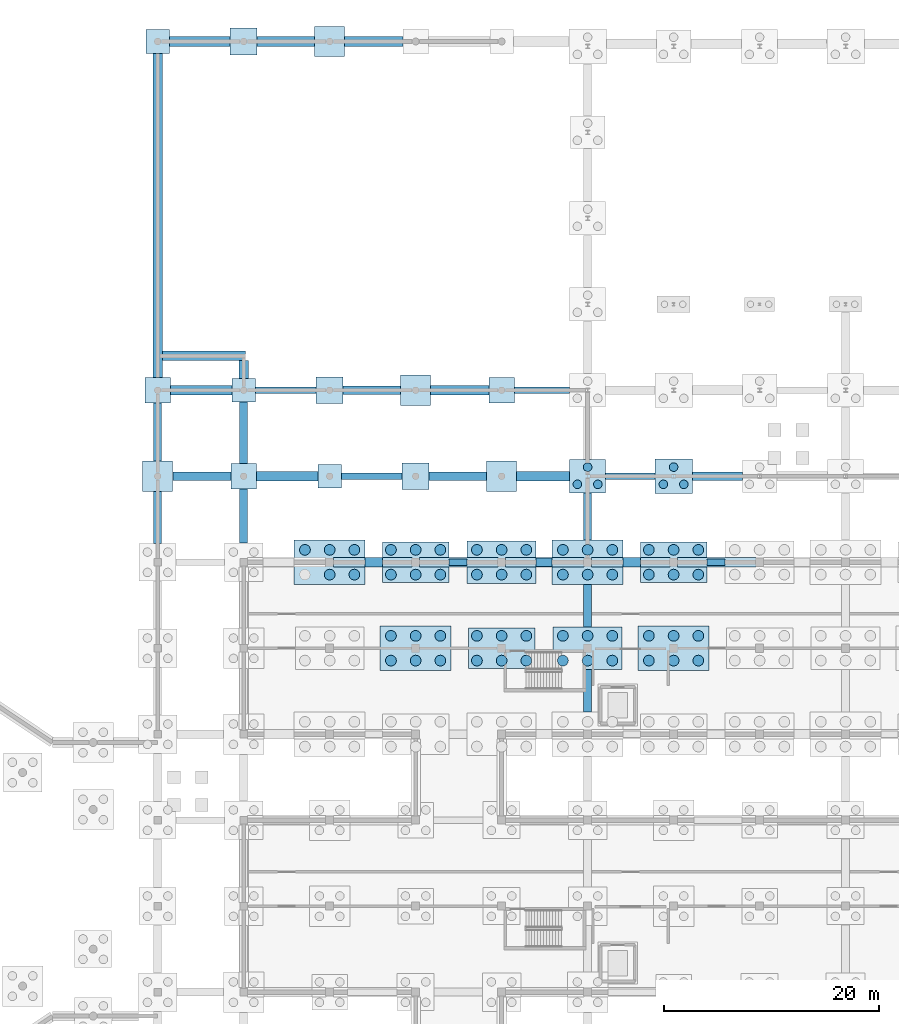
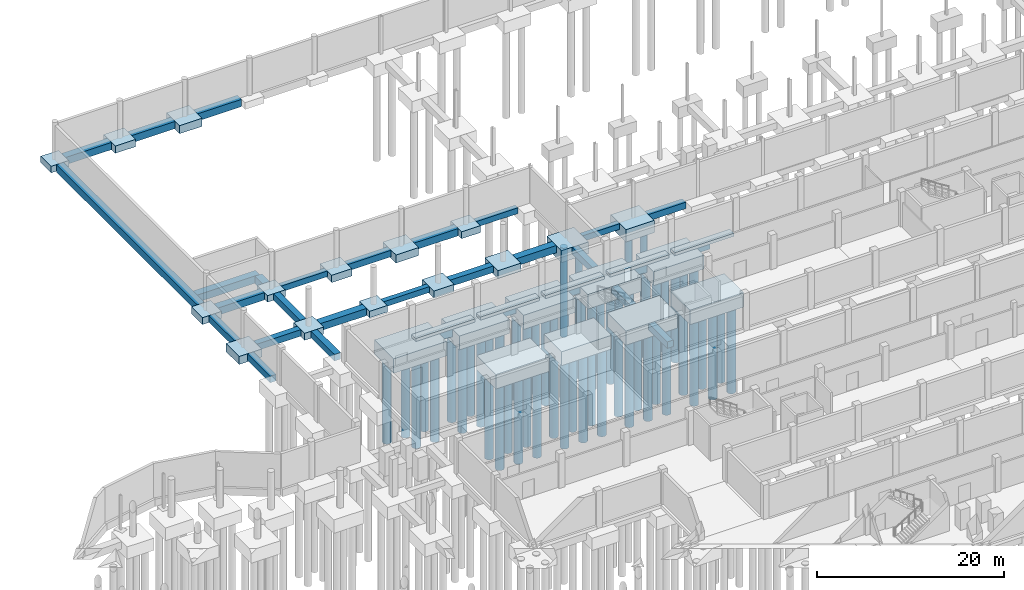
# One storey, part 8 of 51: 59 footings, 59 piles.
"""IFC4 building model written with IfcOpenShell, lengths in metres."""

from ifc_helpers import new_model, si_unit, direction, frame, origin, origin_2d, place, context, subcontext, project, spatial, rectangle, circle, extrude, material, material_profile, profile_set, type_object, element, save


model = new_model("IFC4")

# Units and contexts
model_context = context("Model", 3, precision=1e-05, world=origin(), true_north=direction((0.0, 1.0)))
body_context = subcontext(model_context, "Body", "Model", "MODEL_VIEW")
ifc_project = project(units=[si_unit("LENGTHUNIT", "METRE"), si_unit("AREAUNIT", "SQUARE_METRE"), si_unit("VOLUMEUNIT", "CUBIC_METRE"), si_unit("PLANEANGLEUNIT", "RADIAN"), si_unit("MASSUNIT", "GRAM", prefix="KILO")], contexts=[model_context])

# Site, building, storey
site_placement = place(None, origin())
site = spatial("IfcSite", under=ifc_project, at=site_placement, CompositionType="ELEMENT")
building_placement = place(site_placement, origin())
building = spatial("IfcBuilding", under=site, at=building_placement, Name="Jelvoka-Kovrelna Polytechnic", CompositionType="ELEMENT")
storey_placement = place(building_placement, frame((0.0, 0.0, -4.5)))
storey = spatial("IfcBuildingStorey", under=building, at=storey_placement, Name="B01", CompositionType="ELEMENT", Elevation=-4.5)

# Footings
ifc_material_1 = material(Name="Concrete C35/45", Category="concrete")
footing_type_1 = type_object("IfcFootingType", Name="Footing_Pad_PF1", PredefinedType="PAD_FOOTING", material=ifc_material_1)
for number, where, z_axis, x_axis, name in (
    (1, (64.0, 80.0, -1.255126953125), (0.0, 0.0, 1.0), (1.0, 0.0, 0.0), "Isolated pad footing PF-016"),
    (2, (56.0, 88.0, -1.255126953125), (0.0, 0.0, 1.0), (1.0, 0.0, 0.0), "Isolated pad footing PF-020"),
    (3, (48.0, 120.449951171875, -1.255126953125), (0.0, 0.0, 1.0), (1.0, 0.0, 0.0), "Isolated pad footing PF-024"),
):
    element("IfcFooting", number, at=place(storey_placement, frame(where, z_axis=z_axis, x_axis=x_axis)), inside=storey, type_object=footing_type_1, Name=name, PredefinedType="PAD_FOOTING", context=body_context, shape_type="SweptSolid", body=[
        extrude(rectangle(XDim=2.199951171875, YDim=2.199951171875, at=origin_2d()), origin(), (0.0, 0.0, 1.0), 0.85009765625),
    ])
ifc_material_2 = material(Name="Concrete C35/45", Category="concrete")
footing_type_2 = type_object("IfcFootingType", Name="Footing_Pad_PF2", PredefinedType="PAD_FOOTING", material=ifc_material_2)
for number, where, z_axis, x_axis, name in (
    (4, (72.0, 80.0, -1.35498046875), (0.0, 0.0, 1.0), (1.0, 0.0, 0.0), "Isolated pad footing PF-017"),
    (5, (64.0, 88.0, -1.35498046875), (0.0, 0.0, 1.0), (1.0, 0.0, 0.0), "Isolated pad footing PF-021"),
    (6, (56.0, 120.449951171875, -1.35498046875), (0.0, 0.0, 1.0), (1.0, 0.0, 0.0), "Isolated pad footing PF-025"),
):
    element("IfcFooting", number, at=place(storey_placement, frame(where, z_axis=z_axis, x_axis=x_axis)), inside=storey, type_object=footing_type_2, Name=name, PredefinedType="PAD_FOOTING", context=body_context, shape_type="SweptSolid", body=[
        extrude(rectangle(XDim=2.5, YDim=2.5, at=origin_2d()), origin(), (0.0, 0.0, 1.0), 0.949951171875),
    ])
ifc_material_3 = material(Name="Concrete C35/45", Category="concrete")
footing_type_3 = type_object("IfcFootingType", Name="Footing_Pad_PF3", PredefinedType="PAD_FOOTING", material=ifc_material_3)
for number, where, z_axis, x_axis, name in (
    (7, (48.0, 80.0, -1.455078125), (0.0, 0.0, 1.0), (1.0, 0.0, 0.0), "Isolated pad footing PF-014"),
    (8, (80.0, 80.0, -1.455078125), (0.0, 0.0, 1.0), (1.0, 0.0, 0.0), "Isolated pad footing PF-018"),
    (9, (72.0, 88.0, -1.455078125), (0.0, 0.0, 1.0), (1.0, 0.0, 0.0), "Isolated pad footing PF-022"),
    (10, (64.0, 120.449951171875, -1.455078125), (0.0, 0.0, 1.0), (1.0, 0.0, 0.0), "Isolated pad footing PF-026"),
):
    element("IfcFooting", number, at=place(storey_placement, frame(where, z_axis=z_axis, x_axis=x_axis)), inside=storey, type_object=footing_type_3, Name=name, PredefinedType="PAD_FOOTING", context=body_context, shape_type="SweptSolid", body=[
        extrude(rectangle(XDim=2.800048828125, YDim=2.800048828125, at=origin_2d()), origin(), (0.0, 0.0, 1.0), 1.050048828125),
    ])
ifc_material_4 = material(Name="Concrete C35/45", Category="concrete")
footing_type_4 = type_object("IfcFootingType", Name="Footing_Pad_PF4", PredefinedType="PAD_FOOTING", material=ifc_material_4)
for number, where, z_axis, x_axis, name in (
    (11, (56.0, 80.0, -1.304931640625), (0.0, 0.0, 1.0), (1.0, 0.0, 0.0), "Isolated pad footing PF-015"),
    (12, (48.0, 88.0, -1.304931640625), (0.0, 0.0, 1.0), (1.0, 0.0, 0.0), "Isolated pad footing PF-019"),
    (13, (80.0, 88.0, -1.304931640625), (0.0, 0.0, 1.0), (1.0, 0.0, 0.0), "Isolated pad footing PF-023"),
):
    element("IfcFooting", number, at=place(storey_placement, frame(where, z_axis=z_axis, x_axis=x_axis)), inside=storey, type_object=footing_type_4, Name=name, PredefinedType="PAD_FOOTING", context=body_context, shape_type="SweptSolid", body=[
        extrude(rectangle(XDim=2.35009765625, YDim=2.35009765625, at=origin_2d()), origin(), (0.0, 0.0, 1.0), 0.89990234375),
    ])
ifc_material_5 = material(Name="Concrete C35/45", Category="concrete")
footing_type_5 = type_object("IfcFootingType", Name="Footing_PileCap_PC3B", PredefinedType="PILE_CAP", material=ifc_material_5)
footing_1_placement = place(storey_placement, frame((88.0, 80.0, -1.955078125), z_axis=(0.0, 0.0, 1.0), x_axis=(1.0, 0.0, 0.0)))
element("IfcFooting", 14, at=footing_1_placement, inside=storey, type_object=footing_type_5, Name="Bored pile cap 220 (PC-3)", PredefinedType="PILE_CAP", context=body_context, shape_type="SweptSolid", body=[
    extrude(rectangle(XDim=3.35009765625, YDim=3.14990234375, at=origin_2d()), origin(), (0.0, 0.0, 1.0), 1.550048828125),
])
ifc_material_6 = material(Name="Concrete C35/45", Category="concrete")
footing_type_6 = type_object("IfcFootingType", Name="Footing_PileCap_PC3C", PredefinedType="PILE_CAP", material=ifc_material_6)
footing_2_placement = place(storey_placement, frame((96.0, 80.0, -2.005126953125), z_axis=(0.0, 0.0, 1.0), x_axis=(1.0, 0.0, 0.0)))
element("IfcFooting", 15, at=footing_2_placement, inside=storey, type_object=footing_type_6, Name="Bored pile cap 221 (PC-3)", PredefinedType="PILE_CAP", context=body_context, shape_type="SweptSolid", body=[
    extrude(rectangle(XDim=3.5, YDim=3.25, at=origin_2d()), origin(), (0.0, 0.0, 1.0), 1.60009765625),
])
ifc_material_7 = material(Name="Concrete C35/45", Category="concrete")
footing_type_7 = type_object("IfcFootingType", Name="Footing_PileCap_PC6A", PredefinedType="PILE_CAP", material=ifc_material_7)
for number, where, z_axis, x_axis, name in (
    (16, (80.0, 64.0, -2.205078125), (0.0, 0.0, 1.0), (1.0, 0.0, 0.0), "Bored pile cap 186 (PC-6)"),
    (17, (72.0, 72.0, -2.205078125), (0.0, 0.0, 1.0), (1.0, 0.0, 0.0), "Bored pile cap 204 (PC-6)"),
    (18, (96.0, 72.0, -2.205078125), (0.0, 0.0, 1.0), (1.0, 0.0, 0.0), "Bored pile cap 207 (PC-6)"),
):
    element("IfcFooting", number, at=place(storey_placement, frame(where, z_axis=z_axis, x_axis=x_axis)), inside=storey, type_object=footing_type_7, Name=name, PredefinedType="PILE_CAP", context=body_context, shape_type="SweptSolid", body=[
        extrude(rectangle(XDim=6.199951171875, YDim=3.800048828125, at=origin_2d()), origin(), (0.0, 0.0, 1.0), 1.800048828125),
    ])
ifc_material_8 = material(Name="Concrete C35/45", Category="concrete")
footing_type_8 = type_object("IfcFootingType", Name="Footing_PileCap_PC6B", PredefinedType="PILE_CAP", material=ifc_material_8)
for number, where, z_axis, x_axis, name in (
    (19, (88.0, 64.0, -2.255126953125), (0.0, 0.0, 1.0), (1.0, 0.0, 0.0), "Bored pile cap 187 (PC-6)"),
    (20, (80.0, 72.0, -2.255126953125), (0.0, 0.0, 1.0), (1.0, 0.0, 0.0), "Bored pile cap 205 (PC-6)"),
):
    element("IfcFooting", number, at=place(storey_placement, frame(where, z_axis=z_axis, x_axis=x_axis)), inside=storey, type_object=footing_type_8, Name=name, PredefinedType="PILE_CAP", context=body_context, shape_type="SweptSolid", body=[
        extrude(rectangle(XDim=6.39990234375, YDim=3.949951171875, at=origin_2d()), origin(), (0.0, 0.0, 1.0), 1.85009765625),
    ])
ifc_material_9 = material(Name="Concrete C35/45", Category="concrete")
footing_type_9 = type_object("IfcFootingType", Name="Footing_PileCap_PC6C", PredefinedType="PILE_CAP", material=ifc_material_9)
for number, where, z_axis, x_axis, name in (
    (21, (72.0, 64.0, -2.304931640625), (0.0, 0.0, 1.0), (1.0, 0.0, 0.0), "Bored pile cap 185 (PC-6)"),
    (22, (96.0, 64.0, -2.304931640625), (0.0, 0.0, 1.0), (1.0, 0.0, 0.0), "Bored pile cap 188 (PC-6)"),
    (23, (64.0, 72.0, -2.304931640625), (0.0, 0.0, 1.0), (1.0, 0.0, 0.0), "Bored pile cap 203 (PC-6)"),
    (24, (88.0, 72.0, -2.304931640625), (0.0, 0.0, 1.0), (1.0, 0.0, 0.0), "Bored pile cap 206 (PC-6)"),
):
    element("IfcFooting", number, at=place(storey_placement, frame(where, z_axis=z_axis, x_axis=x_axis)), inside=storey, type_object=footing_type_9, Name=name, PredefinedType="PILE_CAP", context=body_context, shape_type="SweptSolid", body=[
        extrude(rectangle(XDim=6.60009765625, YDim=4.10009765625, at=origin_2d()), origin(), (0.0, 0.0, 1.0), 1.89990234375),
    ])
ifc_material_10 = material(Name="Concrete C35/45", Category="concrete")
footing_type_10 = type_object("IfcFootingType", Name="Footing_Strip_SF1", PredefinedType="STRIP_FOOTING", material=ifc_material_10)
for number, where, z_axis, x_axis, name in (
    (25, (59.925048828125, 88.0, -1.155029296875), (0.0, 0.0, 1.0), (1.0, 0.0, 0.0), "Strip foundation tie beam 051"),
    (26, (67.925048828125, 80.0, -1.155029296875), (0.0, 0.0, 1.0), (1.0, 0.0, 0.0), "Strip foundation tie beam 059"),
):
    element("IfcFooting", number, at=place(storey_placement, frame(where, z_axis=z_axis, x_axis=x_axis)), inside=storey, type_object=footing_type_10, Name=name, PredefinedType="STRIP_FOOTING", context=body_context, shape_type="SweptSolid", body=[
        extrude(rectangle(XDim=5.64599609375, YDim=0.60009765625, at=origin_2d()), origin(), (0.0, 0.0, 1.0), 0.75),
    ])
footing_3_placement = place(storey_placement, frame((75.949951171875, 72.0, -1.155029296875), z_axis=(0.0, 0.0, 1.0), x_axis=(1.0, 0.0, 0.0)))
element("IfcFooting", 27, at=footing_3_placement, inside=storey, type_object=footing_type_10, Name="Strip foundation tie beam 067", PredefinedType="STRIP_FOOTING", context=body_context, shape_type="SweptSolid", body=[
    extrude(rectangle(XDim=1.696044921875, YDim=0.60009765625, at=origin_2d()), origin(), (0.0, 0.0, 1.0), 0.75),
])
footing_4_placement = place(storey_placement, frame((83.75, 88.0, -1.155029296875), z_axis=(0.0, 0.0, 1.0), x_axis=(1.0, 0.0, 0.0)))
element("IfcFooting", 28, at=footing_4_placement, inside=storey, type_object=footing_type_10, Name="Strip foundation tie beam 078", PredefinedType="STRIP_FOOTING", context=body_context, shape_type="SweptSolid", body=[
    extrude(rectangle(XDim=5.14599609375, YDim=0.60009765625, at=origin_2d()), origin(), (0.0, 0.0, 1.0), 0.75),
])
footing_5_placement = place(storey_placement, frame((91.96240234375, 80.0, -1.155029296875), z_axis=(0.0, 0.0, 1.0), x_axis=(1.0, 0.0, 0.0)))
element("IfcFooting", 29, at=footing_5_placement, inside=storey, type_object=footing_type_10, Name="Strip foundation tie beam 096", PredefinedType="STRIP_FOOTING", context=body_context, shape_type="SweptSolid", body=[
    extrude(rectangle(XDim=4.571044921875, YDim=0.60009765625, at=origin_2d()), origin(), (0.0, 0.0, 1.0), 0.75),
])
footing_6_placement = place(storey_placement, frame((99.949951171875, 72.0, -1.155029296875), z_axis=(0.0, 0.0, 1.0), x_axis=(1.0, 0.0, 0.0)))
element("IfcFooting", 30, at=footing_6_placement, inside=storey, type_object=footing_type_10, Name="Strip foundation tie beam 109", PredefinedType="STRIP_FOOTING", context=body_context, shape_type="SweptSolid", body=[
    extrude(rectangle(XDim=1.696044921875, YDim=0.60009765625, at=origin_2d()), origin(), (0.0, 0.0, 1.0), 0.75),
])
ifc_material_11 = material(Name="Concrete C35/45", Category="concrete")
footing_type_11 = type_object("IfcFootingType", Name="Footing_Strip_SF2", PredefinedType="STRIP_FOOTING", material=ifc_material_11)
footing_7_placement = place(storey_placement, frame((48.0, 76.16259765625, -1.255126953125), z_axis=(0.0, 0.0, 1.0), x_axis=(0.0, 1.0, 0.0)))
element("IfcFooting", 31, at=footing_7_placement, inside=storey, type_object=footing_type_11, Name="Strip foundation tie beam 028", PredefinedType="STRIP_FOOTING", context=body_context, shape_type="SweptSolid", body=[
    extrude(rectangle(XDim=4.87109375, YDim=0.75, at=origin_2d()), origin(), (0.0, 0.0, 1.0), 0.85009765625),
])
for number, where, z_axis, x_axis, name in (
    (32, (52.112548828125, 80.0, -1.255126953125), (0.0, 0.0, 1.0), (1.0, 0.0, 0.0), "Strip foundation tie beam 029"),
    (33, (48.0, 84.112548828125, -1.255126953125), (0.0, 0.0, 1.0), (0.0, 1.0, 0.0), "Strip foundation tie beam 030"),
):
    element("IfcFooting", number, at=place(storey_placement, frame(where, z_axis=z_axis, x_axis=x_axis)), inside=storey, type_object=footing_type_11, Name=name, PredefinedType="STRIP_FOOTING", context=body_context, shape_type="SweptSolid", body=[
        extrude(rectangle(XDim=5.4208984375, YDim=0.75, at=origin_2d()), origin(), (0.0, 0.0, 1.0), 0.85009765625),
    ])
footing_8_placement = place(storey_placement, frame((56.0, 76.3125, -1.255126953125), z_axis=(0.0, 0.0, 1.0), x_axis=(0.0, 1.0, 0.0)))
element("IfcFooting", 34, at=footing_8_placement, inside=storey, type_object=footing_type_11, Name="Strip foundation tie beam 048", PredefinedType="STRIP_FOOTING", context=body_context, shape_type="SweptSolid", body=[
    extrude(rectangle(XDim=5.02099609375, YDim=0.75, at=origin_2d()), origin(), (0.0, 0.0, 1.0), 0.85009765625),
])
footing_9_placement = place(storey_placement, frame((56.0, 84.03759765625, -1.255126953125), z_axis=(0.0, 0.0, 1.0), x_axis=(0.0, 1.0, 0.0)))
element("IfcFooting", 35, at=footing_9_placement, inside=storey, type_object=footing_type_11, Name="Strip foundation tie beam 050", PredefinedType="STRIP_FOOTING", context=body_context, shape_type="SweptSolid", body=[
    extrude(rectangle(XDim=5.720947265625, YDim=0.75, at=origin_2d()), origin(), (0.0, 0.0, 1.0), 0.85009765625),
])
for number, where, z_axis, x_axis, name in (
    (36, (67.925048828125, 88.0, -1.255126953125), (0.0, 0.0, 1.0), (1.0, 0.0, 0.0), "Strip foundation tie beam 060"),
    (37, (75.925048828125, 80.0, -1.255126953125), (0.0, 0.0, 1.0), (1.0, 0.0, 0.0), "Strip foundation tie beam 068"),
):
    element("IfcFooting", number, at=place(storey_placement, frame(where, z_axis=z_axis, x_axis=x_axis)), inside=storey, type_object=footing_type_11, Name=name, PredefinedType="STRIP_FOOTING", context=body_context, shape_type="SweptSolid", body=[
        extrude(rectangle(XDim=5.345947265625, YDim=0.75, at=origin_2d()), origin(), (0.0, 0.0, 1.0), 0.85009765625),
    ])
footing_10_placement = place(storey_placement, frame((83.949951171875, 72.0, -1.255126953125), z_axis=(0.0, 0.0, 1.0), x_axis=(1.0, 0.0, 0.0)))
element("IfcFooting", 38, at=footing_10_placement, inside=storey, type_object=footing_type_11, Name="Strip foundation tie beam 076", PredefinedType="STRIP_FOOTING", context=body_context, shape_type="SweptSolid", body=[
    extrude(rectangle(XDim=1.49609375, YDim=0.75, at=origin_2d()), origin(), (0.0, 0.0, 1.0), 0.85009765625),
])
for number, where, z_axis, x_axis, name in (
    (39, (88.0, 60.03759765625, -1.255126953125), (0.0, 0.0, 1.0), (0.0, 1.0, 0.0), "Strip foundation tie beam 092"),
    (40, (88.0, 67.96240234375, -1.255126953125), (0.0, 0.0, 1.0), (0.0, 1.0, 0.0), "Strip foundation tie beam 093"),
):
    element("IfcFooting", number, at=place(storey_placement, frame(where, z_axis=z_axis, x_axis=x_axis)), inside=storey, type_object=footing_type_11, Name=name, PredefinedType="STRIP_FOOTING", context=body_context, shape_type="SweptSolid", body=[
        extrude(rectangle(XDim=3.970947265625, YDim=0.75, at=origin_2d()), origin(), (0.0, 0.0, 1.0), 0.85009765625),
    ])
footing_11_placement = place(storey_placement, frame((88.0, 76.237548828125, -1.255126953125), z_axis=(0.0, 0.0, 1.0), x_axis=(0.0, 1.0, 0.0)))
element("IfcFooting", 41, at=footing_11_placement, inside=storey, type_object=footing_type_11, Name="Strip foundation tie beam 095", PredefinedType="STRIP_FOOTING", context=body_context, shape_type="SweptSolid", body=[
    extrude(rectangle(XDim=4.37109375, YDim=0.75, at=origin_2d()), origin(), (0.0, 0.0, 1.0), 0.85009765625),
])
footing_12_placement = place(storey_placement, frame((100.074951171875, 80.0, -1.255126953125), z_axis=(0.0, 0.0, 1.0), x_axis=(1.0, 0.0, 0.0)))
element("IfcFooting", 42, at=footing_12_placement, inside=storey, type_object=footing_type_11, Name="Strip foundation tie beam 110", PredefinedType="STRIP_FOOTING", context=body_context, shape_type="SweptSolid", body=[
    extrude(rectangle(XDim=4.64599609375, YDim=0.75, at=origin_2d()), origin(), (0.0, 0.0, 1.0), 0.85009765625),
])
ifc_material_12 = material(Name="Concrete C35/45", Category="concrete")
footing_type_12 = type_object("IfcFootingType", Name="Footing_Strip_SF3", PredefinedType="STRIP_FOOTING", material=ifc_material_12)
for number, where, z_axis, x_axis, name in (
    (43, (52.03759765625, 88.0, -1.35498046875), (0.0, 0.0, 1.0), (1.0, 0.0, 0.0), "Strip foundation tie beam 031"),
    (44, (60.03759765625, 80.0, -1.35498046875), (0.0, 0.0, 1.0), (1.0, 0.0, 0.0), "Strip foundation tie beam 049"),
):
    element("IfcFooting", number, at=place(storey_placement, frame(where, z_axis=z_axis, x_axis=x_axis)), inside=storey, type_object=footing_type_12, Name=name, PredefinedType="STRIP_FOOTING", context=body_context, shape_type="SweptSolid", body=[
        extrude(rectangle(XDim=5.720947265625, YDim=0.89990234375, at=origin_2d()), origin(), (0.0, 0.0, 1.0), 0.949951171875),
    ])
footing_13_placement = place(storey_placement, frame((68.10009765625, 72.0, -1.35498046875), z_axis=(0.0, 0.0, 1.0), x_axis=(1.0, 0.0, 0.0)))
element("IfcFooting", 45, at=footing_13_placement, inside=storey, type_object=footing_type_12, Name="Strip foundation tie beam 058", PredefinedType="STRIP_FOOTING", context=body_context, shape_type="SweptSolid", body=[
    extrude(rectangle(XDim=1.595947265625, YDim=0.89990234375, at=origin_2d()), origin(), (0.0, 0.0, 1.0), 0.949951171875),
])
footing_14_placement = place(storey_placement, frame((76.112548828125, 88.0, -1.35498046875), z_axis=(0.0, 0.0, 1.0), x_axis=(1.0, 0.0, 0.0)))
element("IfcFooting", 46, at=footing_14_placement, inside=storey, type_object=footing_type_12, Name="Strip foundation tie beam 069", PredefinedType="STRIP_FOOTING", context=body_context, shape_type="SweptSolid", body=[
    extrude(rectangle(XDim=5.4208984375, YDim=0.89990234375, at=origin_2d()), origin(), (0.0, 0.0, 1.0), 0.949951171875),
])
footing_15_placement = place(storey_placement, frame((83.862548828125, 80.0, -1.35498046875), z_axis=(0.0, 0.0, 1.0), x_axis=(1.0, 0.0, 0.0)))
element("IfcFooting", 47, at=footing_15_placement, inside=storey, type_object=footing_type_12, Name="Strip foundation tie beam 077", PredefinedType="STRIP_FOOTING", context=body_context, shape_type="SweptSolid", body=[
    extrude(rectangle(XDim=4.9208984375, YDim=0.89990234375, at=origin_2d()), origin(), (0.0, 0.0, 1.0), 0.949951171875),
])
footing_16_placement = place(storey_placement, frame((92.10009765625, 72.0, -1.35498046875), z_axis=(0.0, 0.0, 1.0), x_axis=(1.0, 0.0, 0.0)))
element("IfcFooting", 48, at=footing_16_placement, inside=storey, type_object=footing_type_12, Name="Strip foundation tie beam 094", PredefinedType="STRIP_FOOTING", context=body_context, shape_type="SweptSolid", body=[
    extrude(rectangle(XDim=1.595947265625, YDim=0.89990234375, at=origin_2d()), origin(), (0.0, 0.0, 1.0), 0.949951171875),
])
footing_17_placement = place(storey_placement, frame((48.0, 104.262451171875, -1.35498046875), z_axis=(0.0, 0.0, 1.0), x_axis=(0.0, 1.0, 0.0)))
element("IfcFooting", 49, at=footing_17_placement, inside=storey, type_object=footing_type_12, Name="Strip foundation tie beam 328", PredefinedType="STRIP_FOOTING", context=body_context, shape_type="SweptSolid", body=[
    extrude(rectangle(XDim=30.1708984375, YDim=0.89990234375, at=origin_2d()), origin(), (0.0, 0.0, 1.0), 0.949951171875),
])
footing_18_placement = place(storey_placement, frame((51.925048828125, 120.449951171875, -1.35498046875), z_axis=(0.0, 0.0, 1.0), x_axis=(1.0, 0.0, 0.0)))
element("IfcFooting", 50, at=footing_18_placement, inside=storey, type_object=footing_type_12, Name="Strip foundation tie beam 329", PredefinedType="STRIP_FOOTING", context=body_context, shape_type="SweptSolid", body=[
    extrude(rectangle(XDim=5.64599609375, YDim=0.89990234375, at=origin_2d()), origin(), (0.0, 0.0, 1.0), 0.949951171875),
])
footing_19_placement = place(storey_placement, frame((59.925048828125, 120.449951171875, -1.35498046875), z_axis=(0.0, 0.0, 1.0), x_axis=(1.0, 0.0, 0.0)))
element("IfcFooting", 51, at=footing_19_placement, inside=storey, type_object=footing_type_12, Name="Strip foundation tie beam 330", PredefinedType="STRIP_FOOTING", context=body_context, shape_type="SweptSolid", body=[
    extrude(rectangle(XDim=5.345947265625, YDim=0.89990234375, at=origin_2d()), origin(), (0.0, 0.0, 1.0), 0.949951171875),
])
footing_20_placement = place(storey_placement, frame((68.112548828125, 120.449951171875, -1.35498046875), z_axis=(0.0, 0.0, 1.0), x_axis=(1.0, 0.0, 0.0)))
element("IfcFooting", 52, at=footing_20_placement, inside=storey, type_object=footing_type_12, Name="Strip foundation tie beam 331", PredefinedType="STRIP_FOOTING", context=body_context, shape_type="SweptSolid", body=[
    extrude(rectangle(XDim=5.4208984375, YDim=0.89990234375, at=origin_2d()), origin(), (0.0, 0.0, 1.0), 0.949951171875),
])
for number, where, z_axis, x_axis, name in (
    (53, (68.0, 72.0, -0.40478515625), (0.0, 0.0, 1.0), (1.0, 0.0, 0.0), "Strip foundation plinth beam B01W-074"),
    (54, (76.0, 72.0, -0.40478515625), (0.0, 0.0, 1.0), (1.0, 0.0, 0.0), "Strip foundation plinth beam B01W-075"),
    (55, (84.0, 72.0, -0.40478515625), (0.0, 0.0, 1.0), (1.0, 0.0, 0.0), "Strip foundation plinth beam B01W-077"),
    (56, (92.0, 72.0, -0.40478515625), (0.0, 0.0, 1.0), (1.0, 0.0, 0.0), "Strip foundation plinth beam B01W-079"),
    (57, (100.0, 72.0, -0.40478515625), (0.0, 0.0, 1.0), (1.0, 0.0, 0.0), "Strip foundation plinth beam B01W-081"),
):
    element("IfcFooting", number, at=place(storey_placement, frame(where, z_axis=z_axis, x_axis=x_axis)), inside=storey, type_object=footing_type_12, Name=name, PredefinedType="STRIP_FOOTING", context=body_context, shape_type="SweptSolid", body=[
        extrude(rectangle(XDim=7.300048828125, YDim=0.89990234375, at=origin_2d()), origin(), (0.0, 0.0, 1.0), 0.405029296875),
    ])
footing_21_placement = place(storey_placement, frame((52.3134765625, 91.199951171875, -1.35498046875), z_axis=(0.0, 0.0, 1.0), x_axis=(1.0, 0.0, 0.0)))
element("IfcFooting", 58, at=footing_21_placement, inside=storey, type_object=footing_type_12, Name="Strip foundation plinth beam B01W-115", PredefinedType="STRIP_FOOTING", context=body_context, shape_type="SweptSolid", body=[
    extrude(rectangle(XDim=7.722900390625, YDim=0.89990234375, at=origin_2d()), origin(), (0.0, 0.0, 1.0), 0.949951171875),
])
footing_22_placement = place(storey_placement, frame((56.0, 89.925048828125, -1.35498046875), z_axis=(0.0, 0.0, 1.0), x_axis=(0.0, 1.0, 0.0)))
element("IfcFooting", 59, at=footing_22_placement, inside=storey, type_object=footing_type_12, Name="Strip foundation plinth beam B01W-116", PredefinedType="STRIP_FOOTING", context=body_context, shape_type="SweptSolid", body=[
    extrude(rectangle(XDim=1.64599609375, YDim=0.89990234375, at=origin_2d()), origin(), (0.0, 0.0, 1.0), 0.949951171875),
])

# Piles
ifc_material_13 = material(Name="Concrete C35/45", Category="concrete")
ifc_material_profile_1 = material_profile(ifc_material_13, circle(Radius=0.5, at=origin_2d()), Name="PILE D1000")
ifc_profile_set_1 = profile_set([ifc_material_profile_1], Name="Concrete C35/45")
pile_type_1 = type_object("IfcPileType", Name="Pile_Bored_1000", PredefinedType="BORED", material=ifc_profile_set_1)
for number, where, z_axis, x_axis, name in (
    (60, (69.699951171875, 62.85009765625, -2.205078125), (0.0, 0.0, -1.0), (1.0, 0.0, 0.0), "Bored concrete pile 185-1"),
    (61, (72.0, 62.85009765625, -2.205078125), (0.0, 0.0, -1.0), (1.0, 0.0, 0.0), "Bored concrete pile 185-2"),
    (62, (74.300048828125, 62.85009765625, -2.205078125), (0.0, 0.0, -1.0), (1.0, 0.0, 0.0), "Bored concrete pile 185-3"),
    (63, (69.699951171875, 65.14990234375, -2.205078125), (0.0, 0.0, -1.0), (1.0, 0.0, 0.0), "Bored concrete pile 185-4"),
    (64, (72.0, 65.14990234375, -2.205078125), (0.0, 0.0, -1.0), (1.0, 0.0, 0.0), "Bored concrete pile 185-5"),
    (65, (74.300048828125, 65.14990234375, -2.205078125), (0.0, 0.0, -1.0), (1.0, 0.0, 0.0), "Bored concrete pile 185-6"),
):
    element("IfcPile", number, at=place(storey_placement, frame(where, z_axis=z_axis, x_axis=x_axis)), inside=storey, type_object=pile_type_1, Name=name, PredefinedType="BORED", context=body_context, shape_type="SweptSolid", body=[
        extrude(circle(Radius=0.5, at=origin_2d()), origin(), (0.0, 0.0, 1.0), 11.294921875),
    ])
for number, where, z_axis, x_axis, name in (
    (66, (77.699951171875, 62.85009765625, -2.10498046875), (0.0, 0.0, -1.0), (1.0, 0.0, 0.0), "Bored concrete pile 186-1"),
    (67, (80.0, 62.85009765625, -2.10498046875), (0.0, 0.0, -1.0), (1.0, 0.0, 0.0), "Bored concrete pile 186-2"),
    (68, (82.300048828125, 62.85009765625, -2.10498046875), (0.0, 0.0, -1.0), (1.0, 0.0, 0.0), "Bored concrete pile 186-3"),
    (69, (77.699951171875, 65.14990234375, -2.10498046875), (0.0, 0.0, -1.0), (1.0, 0.0, 0.0), "Bored concrete pile 186-4"),
    (70, (80.0, 65.14990234375, -2.10498046875), (0.0, 0.0, -1.0), (1.0, 0.0, 0.0), "Bored concrete pile 186-5"),
    (71, (82.300048828125, 65.14990234375, -2.10498046875), (0.0, 0.0, -1.0), (1.0, 0.0, 0.0), "Bored concrete pile 186-6"),
):
    element("IfcPile", number, at=place(storey_placement, frame(where, z_axis=z_axis, x_axis=x_axis)), inside=storey, type_object=pile_type_1, Name=name, PredefinedType="BORED", context=body_context, shape_type="SweptSolid", body=[
        extrude(circle(Radius=0.5, at=origin_2d()), origin(), (0.0, 0.0, 1.0), 11.39501953125),
    ])
for number, where, z_axis, x_axis, name in (
    (72, (85.699951171875, 62.85009765625, -2.155029296875), (0.0, 0.0, -1.0), (1.0, 0.0, 0.0), "Bored concrete pile 187-1"),
    (73, (88.0, 62.85009765625, -2.155029296875), (0.0, 0.0, -1.0), (1.0, 0.0, 0.0), "Bored concrete pile 187-2"),
    (74, (90.300048828125, 62.85009765625, -2.155029296875), (0.0, 0.0, -1.0), (1.0, 0.0, 0.0), "Bored concrete pile 187-3"),
    (75, (85.699951171875, 65.14990234375, -2.155029296875), (0.0, 0.0, -1.0), (1.0, 0.0, 0.0), "Bored concrete pile 187-4"),
    (76, (88.0, 65.14990234375, -2.155029296875), (0.0, 0.0, -1.0), (1.0, 0.0, 0.0), "Bored concrete pile 187-5"),
    (77, (90.300048828125, 65.14990234375, -2.155029296875), (0.0, 0.0, -1.0), (1.0, 0.0, 0.0), "Bored concrete pile 187-6"),
):
    element("IfcPile", number, at=place(storey_placement, frame(where, z_axis=z_axis, x_axis=x_axis)), inside=storey, type_object=pile_type_1, Name=name, PredefinedType="BORED", context=body_context, shape_type="SweptSolid", body=[
        extrude(circle(Radius=0.5, at=origin_2d()), origin(), (0.0, 0.0, 1.0), 11.344970703125),
    ])
for number, where, z_axis, x_axis, name in (
    (78, (93.699951171875, 62.85009765625, -2.205078125), (0.0, 0.0, -1.0), (1.0, 0.0, 0.0), "Bored concrete pile 188-1"),
    (79, (96.0, 62.85009765625, -2.205078125), (0.0, 0.0, -1.0), (1.0, 0.0, 0.0), "Bored concrete pile 188-2"),
    (80, (98.300048828125, 62.85009765625, -2.205078125), (0.0, 0.0, -1.0), (1.0, 0.0, 0.0), "Bored concrete pile 188-3"),
    (81, (93.699951171875, 65.14990234375, -2.205078125), (0.0, 0.0, -1.0), (1.0, 0.0, 0.0), "Bored concrete pile 188-4"),
    (82, (96.0, 65.14990234375, -2.205078125), (0.0, 0.0, -1.0), (1.0, 0.0, 0.0), "Bored concrete pile 188-5"),
    (83, (98.300048828125, 65.14990234375, -2.205078125), (0.0, 0.0, -1.0), (1.0, 0.0, 0.0), "Bored concrete pile 188-6"),
    (84, (64.0, 70.85009765625, -2.205078125), (0.0, 0.0, -1.0), (1.0, 0.0, 0.0), "Bored concrete pile 203-2"),
    (85, (66.300048828125, 70.85009765625, -2.205078125), (0.0, 0.0, -1.0), (1.0, 0.0, 0.0), "Bored concrete pile 203-3"),
    (86, (61.699951171875, 73.14990234375, -2.205078125), (0.0, 0.0, -1.0), (1.0, 0.0, 0.0), "Bored concrete pile 203-4"),
    (87, (64.0, 73.14990234375, -2.205078125), (0.0, 0.0, -1.0), (1.0, 0.0, 0.0), "Bored concrete pile 203-5"),
    (88, (66.300048828125, 73.14990234375, -2.205078125), (0.0, 0.0, -1.0), (1.0, 0.0, 0.0), "Bored concrete pile 203-6"),
):
    element("IfcPile", number, at=place(storey_placement, frame(where, z_axis=z_axis, x_axis=x_axis)), inside=storey, type_object=pile_type_1, Name=name, PredefinedType="BORED", context=body_context, shape_type="SweptSolid", body=[
        extrude(circle(Radius=0.5, at=origin_2d()), origin(), (0.0, 0.0, 1.0), 11.294921875),
    ])
for number, where, z_axis, x_axis, name in (
    (89, (69.699951171875, 70.85009765625, -2.10498046875), (0.0, 0.0, -1.0), (1.0, 0.0, 0.0), "Bored concrete pile 204-1"),
    (90, (72.0, 70.85009765625, -2.10498046875), (0.0, 0.0, -1.0), (1.0, 0.0, 0.0), "Bored concrete pile 204-2"),
    (91, (74.300048828125, 70.85009765625, -2.10498046875), (0.0, 0.0, -1.0), (1.0, 0.0, 0.0), "Bored concrete pile 204-3"),
    (92, (69.699951171875, 73.14990234375, -2.10498046875), (0.0, 0.0, -1.0), (1.0, 0.0, 0.0), "Bored concrete pile 204-4"),
    (93, (72.0, 73.14990234375, -2.10498046875), (0.0, 0.0, -1.0), (1.0, 0.0, 0.0), "Bored concrete pile 204-5"),
    (94, (74.300048828125, 73.14990234375, -2.10498046875), (0.0, 0.0, -1.0), (1.0, 0.0, 0.0), "Bored concrete pile 204-6"),
):
    element("IfcPile", number, at=place(storey_placement, frame(where, z_axis=z_axis, x_axis=x_axis)), inside=storey, type_object=pile_type_1, Name=name, PredefinedType="BORED", context=body_context, shape_type="SweptSolid", body=[
        extrude(circle(Radius=0.5, at=origin_2d()), origin(), (0.0, 0.0, 1.0), 11.39501953125),
    ])
for number, where, z_axis, x_axis, name in (
    (95, (77.699951171875, 70.85009765625, -2.155029296875), (0.0, 0.0, -1.0), (1.0, 0.0, 0.0), "Bored concrete pile 205-1"),
    (96, (80.0, 70.85009765625, -2.155029296875), (0.0, 0.0, -1.0), (1.0, 0.0, 0.0), "Bored concrete pile 205-2"),
    (97, (82.300048828125, 70.85009765625, -2.155029296875), (0.0, 0.0, -1.0), (1.0, 0.0, 0.0), "Bored concrete pile 205-3"),
    (98, (77.699951171875, 73.14990234375, -2.155029296875), (0.0, 0.0, -1.0), (1.0, 0.0, 0.0), "Bored concrete pile 205-4"),
    (99, (80.0, 73.14990234375, -2.155029296875), (0.0, 0.0, -1.0), (1.0, 0.0, 0.0), "Bored concrete pile 205-5"),
    (100, (82.300048828125, 73.14990234375, -2.155029296875), (0.0, 0.0, -1.0), (1.0, 0.0, 0.0), "Bored concrete pile 205-6"),
):
    element("IfcPile", number, at=place(storey_placement, frame(where, z_axis=z_axis, x_axis=x_axis)), inside=storey, type_object=pile_type_1, Name=name, PredefinedType="BORED", context=body_context, shape_type="SweptSolid", body=[
        extrude(circle(Radius=0.5, at=origin_2d()), origin(), (0.0, 0.0, 1.0), 11.344970703125),
    ])
for number, where, z_axis, x_axis, name in (
    (101, (85.699951171875, 70.85009765625, -2.205078125), (0.0, 0.0, -1.0), (1.0, 0.0, 0.0), "Bored concrete pile 206-1"),
    (102, (88.0, 70.85009765625, -2.205078125), (0.0, 0.0, -1.0), (1.0, 0.0, 0.0), "Bored concrete pile 206-2"),
    (103, (90.300048828125, 70.85009765625, -2.205078125), (0.0, 0.0, -1.0), (1.0, 0.0, 0.0), "Bored concrete pile 206-3"),
    (104, (85.699951171875, 73.14990234375, -2.205078125), (0.0, 0.0, -1.0), (1.0, 0.0, 0.0), "Bored concrete pile 206-4"),
    (105, (88.0, 73.14990234375, -2.205078125), (0.0, 0.0, -1.0), (1.0, 0.0, 0.0), "Bored concrete pile 206-5"),
    (106, (90.300048828125, 73.14990234375, -2.205078125), (0.0, 0.0, -1.0), (1.0, 0.0, 0.0), "Bored concrete pile 206-6"),
):
    element("IfcPile", number, at=place(storey_placement, frame(where, z_axis=z_axis, x_axis=x_axis)), inside=storey, type_object=pile_type_1, Name=name, PredefinedType="BORED", context=body_context, shape_type="SweptSolid", body=[
        extrude(circle(Radius=0.5, at=origin_2d()), origin(), (0.0, 0.0, 1.0), 11.294921875),
    ])
for number, where, z_axis, x_axis, name in (
    (107, (93.699951171875, 70.85009765625, -2.10498046875), (0.0, 0.0, -1.0), (1.0, 0.0, 0.0), "Bored concrete pile 207-1"),
    (108, (96.0, 70.85009765625, -2.10498046875), (0.0, 0.0, -1.0), (1.0, 0.0, 0.0), "Bored concrete pile 207-2"),
    (109, (98.300048828125, 70.85009765625, -2.10498046875), (0.0, 0.0, -1.0), (1.0, 0.0, 0.0), "Bored concrete pile 207-3"),
    (110, (93.699951171875, 73.14990234375, -2.10498046875), (0.0, 0.0, -1.0), (1.0, 0.0, 0.0), "Bored concrete pile 207-4"),
    (111, (96.0, 73.14990234375, -2.10498046875), (0.0, 0.0, -1.0), (1.0, 0.0, 0.0), "Bored concrete pile 207-5"),
    (112, (98.300048828125, 73.14990234375, -2.10498046875), (0.0, 0.0, -1.0), (1.0, 0.0, 0.0), "Bored concrete pile 207-6"),
):
    element("IfcPile", number, at=place(storey_placement, frame(where, z_axis=z_axis, x_axis=x_axis)), inside=storey, type_object=pile_type_1, Name=name, PredefinedType="BORED", context=body_context, shape_type="SweptSolid", body=[
        extrude(circle(Radius=0.5, at=origin_2d()), origin(), (0.0, 0.0, 1.0), 11.39501953125),
    ])
ifc_material_14 = material(Name="Concrete C35/45", Category="concrete")
ifc_material_profile_2 = material_profile(ifc_material_14, circle(Radius=0.39990234375, at=origin_2d()), Name="PILE D800")
ifc_profile_set_2 = profile_set([ifc_material_profile_2], Name="Concrete C35/45")
pile_type_2 = type_object("IfcPileType", Name="Pile_Bored_800", PredefinedType="BORED", material=ifc_profile_set_2)
for number, where, z_axis, x_axis, name in (
    (113, (87.050048828125, 79.25, -1.85498046875), (0.0, 0.0, -1.0), (1.0, 0.0, 0.0), "Bored concrete pile 220-1"),
    (114, (88.949951171875, 79.25, -1.85498046875), (0.0, 0.0, -1.0), (1.0, 0.0, 0.0), "Bored concrete pile 220-2"),
    (115, (88.0, 80.85009765625, -1.85498046875), (0.0, 0.0, -1.0), (1.0, 0.0, 0.0), "Bored concrete pile 220-3"),
):
    element("IfcPile", number, at=place(storey_placement, frame(where, z_axis=z_axis, x_axis=x_axis)), inside=storey, type_object=pile_type_2, Name=name, PredefinedType="BORED", context=body_context, shape_type="SweptSolid", body=[
        extrude(circle(Radius=0.39990234375, at=origin_2d()), origin(), (0.0, 0.0, 1.0), 11.64501953125),
    ])
for number, where, z_axis, x_axis, name in (
    (116, (95.050048828125, 79.25, -1.905029296875), (0.0, 0.0, -1.0), (1.0, 0.0, 0.0), "Bored concrete pile 221-1"),
    (117, (96.949951171875, 79.25, -1.905029296875), (0.0, 0.0, -1.0), (1.0, 0.0, 0.0), "Bored concrete pile 221-2"),
    (118, (96.0, 80.85009765625, -1.905029296875), (0.0, 0.0, -1.0), (1.0, 0.0, 0.0), "Bored concrete pile 221-3"),
):
    element("IfcPile", number, at=place(storey_placement, frame(where, z_axis=z_axis, x_axis=x_axis)), inside=storey, type_object=pile_type_2, Name=name, PredefinedType="BORED", context=body_context, shape_type="SweptSolid", body=[
        extrude(circle(Radius=0.39990234375, at=origin_2d()), origin(), (0.0, 0.0, 1.0), 11.594970703125),
    ])

save(model, "model.ifc")
